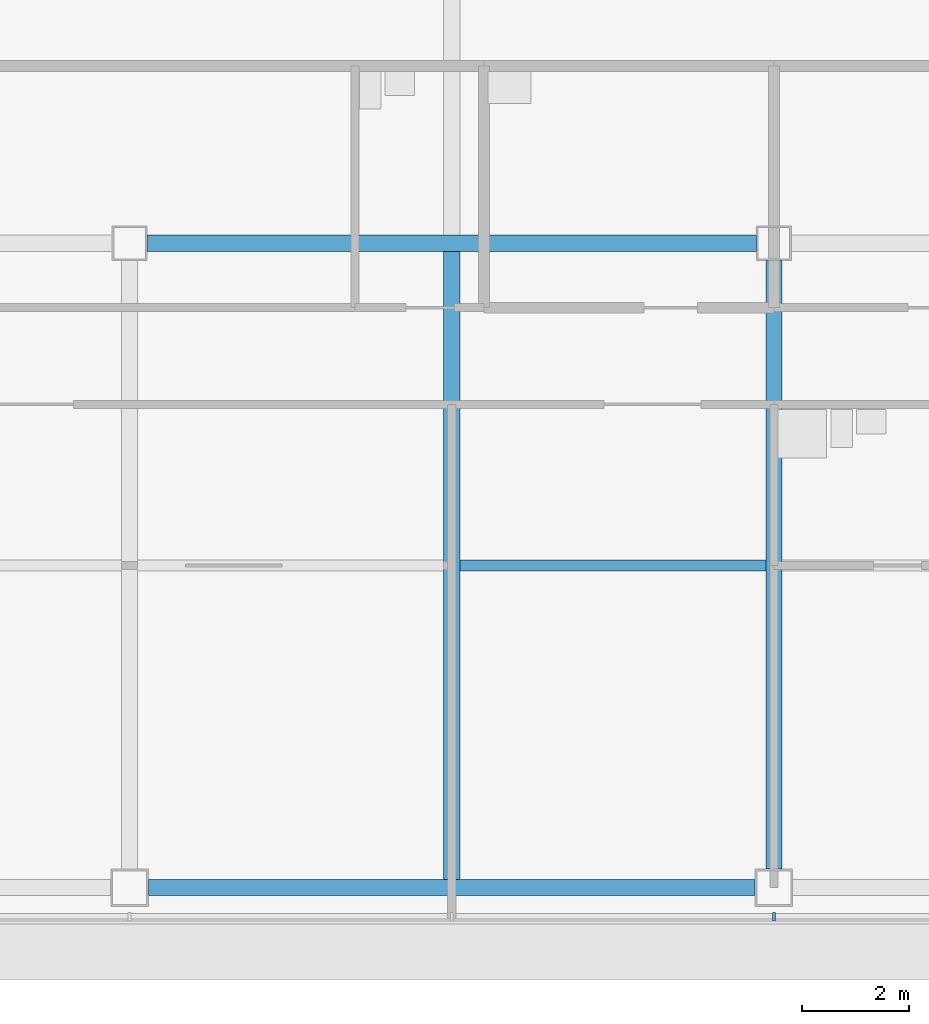
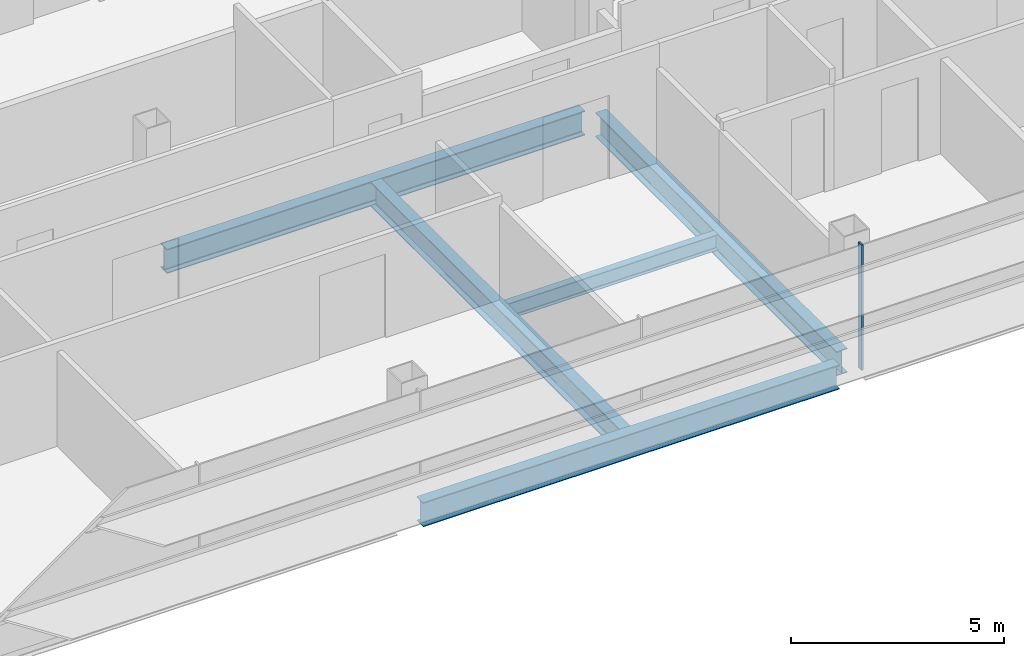
# One storey, part 3 of 24: 5 beams, 1 member, 1 element without a shape of its own.
"""IFC4 building model written with IfcOpenShell, lengths in metres."""

from ifc_helpers import new_model, si_unit, direction, frame, origin, origin_2d, place, context, subcontext, project, spatial, rectangle, i_section, extrude, material, material_profile, profile_set, type_object, element, aggregate, save


model = new_model("IFC4")

# Units and contexts
model_context = context("Model", 3, precision=1e-05, world=origin(), true_north=direction((0.0, 1.0)))
body_context = subcontext(model_context, "Body", "Model", "MODEL_VIEW")
ifc_project = project(units=[si_unit("LENGTHUNIT", "METRE"), si_unit("AREAUNIT", "SQUARE_METRE"), si_unit("VOLUMEUNIT", "CUBIC_METRE"), si_unit("PLANEANGLEUNIT", "RADIAN"), si_unit("MASSUNIT", "GRAM", prefix="KILO")], contexts=[model_context])

# Site, building, storey
site_placement = place(None, origin())
site = spatial("IfcSite", under=ifc_project, at=site_placement, CompositionType="ELEMENT")
building_placement = place(site_placement, origin())
building = spatial("IfcBuilding", under=site, at=building_placement, Name="Sorahane Residences", CompositionType="ELEMENT")
storey_placement = place(building_placement, frame((0.0, 0.0, 170.800048828125)))
storey = spatial("IfcBuildingStorey", under=building, at=storey_placement, Name="L39", CompositionType="ELEMENT", Elevation=170.800048828125)

# Curtain wall, member
ifc_material_1 = material(Name="Dark low-e glass and black anodised aluminium", Category="aluminium")
curtain_wall_type = type_object("IfcCurtainWallType", Name="Curtain wall CW-1 Typical unitised wall", PredefinedType="NOTDEFINED", material=ifc_material_1)
curtain_wall_placement = place(storey_placement, origin())
curtain_wall = element("IfcCurtainWall", 1, at=curtain_wall_placement, inside=storey, type_object=curtain_wall_type, Name="CW-1 curtain wall L39 S1", PredefinedType="NOTDEFINED")
ifc_material_2 = material(Name="Black anodised aluminium", Category="aluminium")
ifc_material_profile_1 = material_profile(ifc_material_2, rectangle(XDim=0.159912109375, YDim=0.050048828125, at=origin_2d()), Name="Curtain wall mullion CW-1 black anodised aluminium 50x160")
ifc_profile_set_1 = profile_set([ifc_material_profile_1], Name="Black anodised aluminium")
member_type = type_object("IfcMemberType", Name="Curtain wall mullion CW-1 black anodised aluminium 50x160", PredefinedType="MULLION", material=ifc_profile_set_1)
member_placement = place(storey_placement, frame((24.0, -0.5400390625, -0.179931640625), z_axis=(0.0, 0.0, 1.0), x_axis=(0.0, -1.0, 0.0)))
member = element("IfcMember", 2, at=member_placement, type_object=member_type, Name="CW-1 mullion L39 S1.5", PredefinedType="MULLION", context=body_context, shape_type="SweptSolid", body=[
    extrude(rectangle(XDim=0.159912109375, YDim=0.050048828125, at=origin_2d()), origin(), (0.0, 0.0, 1.0), 3.599853515625),
])
aggregate(curtain_wall, [member])

# Beams
ifc_material_3 = material(Name="Steel Q355B", Category="steel")
ifc_material_profile_2 = material_profile(ifc_material_3, i_section(OverallWidth=0.199951171875, OverallDepth=0.449951171875, WebThickness=0.009033203125, FlangeThickness=0.013916015625, FilletRadius=0.02001953125, at=origin_2d()), Name="HN 450x200x9x14")
ifc_profile_set_2 = profile_set([ifc_material_profile_2], Name="Steel Q355B")
beam_type_1 = type_object("IfcBeamType", Name="Steel floor beam HN 450x200x9x14 Q355B", PredefinedType="BEAM", material=ifc_profile_set_2)
beam_1_placement = place(storey_placement, frame((18.14990234375, 6.0, -0.405029296875), z_axis=(1.0, 0.0, 0.0), x_axis=(0.0, 1.0, 0.0)))
element("IfcBeam", 3, at=beam_1_placement, inside=storey, type_object=beam_type_1, Name="Beam L39 072", PredefinedType="BEAM", context=body_context, shape_type="SweptSolid", body=[
    extrude(i_section(OverallWidth=0.199951171875, OverallDepth=0.449951171875, WebThickness=0.009033203125, FlangeThickness=0.013916015625, FilletRadius=0.02001953125, at=origin_2d()), origin(), (0.0, 0.0, 1.0), 5.7001953125),
])
ifc_material_4 = material(Name="Steel Q355B", Category="steel")
ifc_material_profile_3 = material_profile(ifc_material_4, i_section(OverallWidth=0.300048828125, OverallDepth=0.699951171875, WebThickness=0.012939453125, FlangeThickness=0.02392578125, FilletRadius=0.028076171875, at=origin_2d()), Name="HN 700x300x13x24")
ifc_profile_set_3 = profile_set([ifc_material_profile_3], Name="Steel Q355B")
beam_type_2 = type_object("IfcBeamType", Name="Steel floor beam HN 700x300x13x24 Q355B", PredefinedType="BEAM", material=ifc_profile_set_3)
beam_2_placement = place(storey_placement, frame((12.35009765625, 0.0, -0.530029296875), z_axis=(1.0, 0.0, 0.0), x_axis=(0.0, 1.0, 0.0)))
element("IfcBeam", 4, at=beam_2_placement, inside=storey, type_object=beam_type_2, Name="Beam L39 001", PredefinedType="BEAM", context=body_context, shape_type="SweptSolid", body=[
    extrude(i_section(OverallWidth=0.300048828125, OverallDepth=0.699951171875, WebThickness=0.012939453125, FlangeThickness=0.02392578125, FilletRadius=0.028076171875, at=origin_2d()), origin(), (0.0, 0.0, 1.0), 11.2998046875),
])
beam_3_placement = place(storey_placement, frame((12.324951171875, 12.0, -0.530029296875), z_axis=(1.0, 0.0, 0.0), x_axis=(0.0, 1.0, 0.0)))
element("IfcBeam", 5, at=beam_3_placement, inside=storey, type_object=beam_type_2, Name="Beam L39 007", PredefinedType="BEAM", context=body_context, shape_type="SweptSolid", body=[
    extrude(i_section(OverallWidth=0.300048828125, OverallDepth=0.699951171875, WebThickness=0.012939453125, FlangeThickness=0.02392578125, FilletRadius=0.028076171875, at=origin_2d()), origin(), (0.0, 0.0, 1.0), 11.35009765625),
])
beam_4_placement = place(storey_placement, frame((18.0, 0.14990234375, -0.530029296875), z_axis=(0.0, 1.0, 0.0), x_axis=(-1.0, 0.0, 0.0)))
element("IfcBeam", 6, at=beam_4_placement, inside=storey, type_object=beam_type_2, Name="Beam L39 036", PredefinedType="BEAM", context=body_context, shape_type="SweptSolid", body=[
    extrude(i_section(OverallWidth=0.300048828125, OverallDepth=0.699951171875, WebThickness=0.012939453125, FlangeThickness=0.02392578125, FilletRadius=0.028076171875, at=origin_2d()), origin(), (0.0, 0.0, 1.0), 11.7001953125),
])
beam_5_placement = place(storey_placement, frame((24.0, 0.35009765625, -0.530029296875), z_axis=(0.0, 1.0, 0.0), x_axis=(-1.0, 0.0, 0.0)))
element("IfcBeam", 7, at=beam_5_placement, inside=storey, type_object=beam_type_2, Name="Beam L39 042", PredefinedType="BEAM", context=body_context, shape_type="SweptSolid", body=[
    extrude(i_section(OverallWidth=0.300048828125, OverallDepth=0.699951171875, WebThickness=0.012939453125, FlangeThickness=0.02392578125, FilletRadius=0.028076171875, at=origin_2d()), origin(), (0.0, 0.0, 1.0), 11.324951171875),
])

save(model, "model.ifc")
